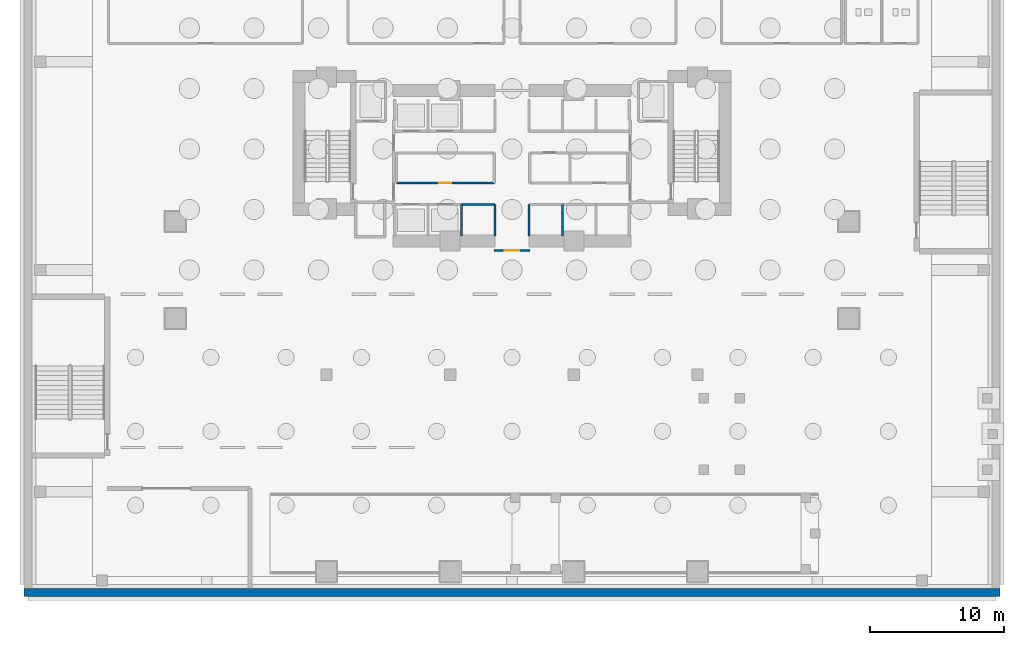
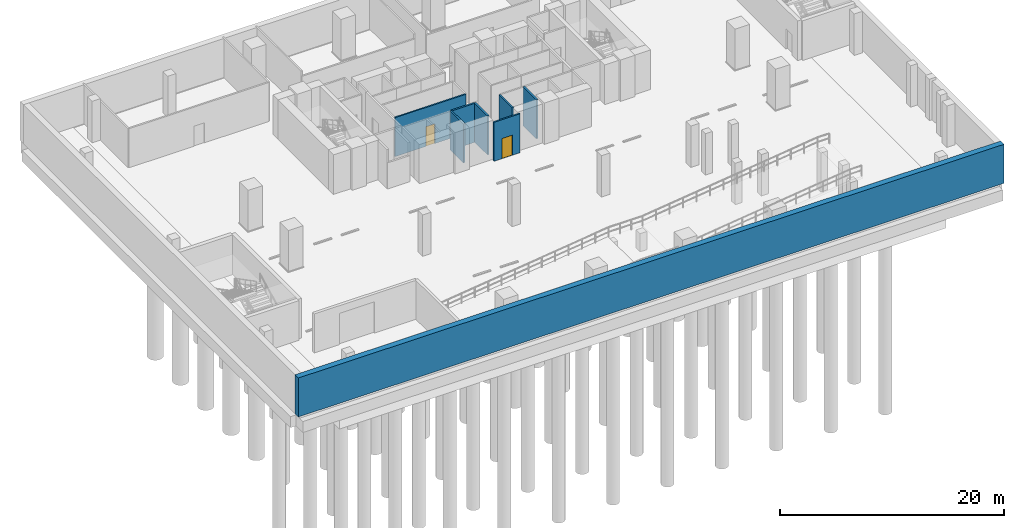
# One storey, part 3 of 13: 8 walls, 2 doors, 2 openings.
"""IFC4 building model written with IfcOpenShell, lengths in metres."""

from ifc_helpers import new_model, si_unit, direction, frame, frame_2d, origin, place, context, subcontext, project, spatial, rectangle, extrude, material, layer, layer_set, type_object, element, fill, save


model = new_model("IFC4")

# Units and contexts
model_context = context("Model", 3, precision=1e-05, world=origin(), true_north=direction((0.0, 1.0)))
body_context = subcontext(model_context, "Body", "Model", "MODEL_VIEW")
ifc_project = project(units=[si_unit("LENGTHUNIT", "METRE"), si_unit("AREAUNIT", "SQUARE_METRE"), si_unit("VOLUMEUNIT", "CUBIC_METRE"), si_unit("PLANEANGLEUNIT", "RADIAN"), si_unit("MASSUNIT", "GRAM", prefix="KILO")], contexts=[model_context])

# Site, building, storey
site_placement = place(None, origin())
site = spatial("IfcSite", under=ifc_project, at=site_placement, CompositionType="ELEMENT")
building_placement = place(site_placement, origin())
building = spatial("IfcBuilding", under=site, at=building_placement, Name="Zuhayl Quay Hotel", CompositionType="ELEMENT")
storey_placement = place(building_placement, frame((0.0, 0.0, -9.0)))
storey = spatial("IfcBuildingStorey", under=building, at=storey_placement, Name="B2", CompositionType="ELEMENT", Elevation=-9.0)

# Wall, opening, door
ifc_material_1 = material(Name="Acoustic Gypsum Partition STC-58")
ifc_layer_1 = layer(ifc_material_1, 0.14990234375, Name="Acoustic Gypsum Partition STC-58")
ifc_layer_set_1 = layer_set([ifc_layer_1], Name="Acoustic Gypsum Partition STC-58")
wall_type_1 = type_object("IfcWallType", Name="WL_PART_150", PredefinedType="PARTITIONING", material=ifc_layer_set_1)
wall_1_placement = place(storey_placement, frame((-8.610107421875, 6.47998046875, 0.0), z_axis=(0.0, 0.0, 1.0), x_axis=(1.0, 0.0, 0.0)))
wall_1 = element("IfcWall", 1, at=wall_1_placement, inside=storey, type_object=wall_type_1, Name="B2 Partition IW_B2_CORE_EL_S", PredefinedType="PARTITIONING", context=body_context, shape_type="SweptSolid", body=[
    extrude(rectangle(XDim=7.2900390625, YDim=0.14990234375, at=frame_2d((3.64501953125, 0.0))), origin(), (0.0, 0.0, 1.0), 4.239990234375),
])
opening_1_placement = place(wall_1_placement, frame((3.195068359375, 0.0, 0.0)))
opening_1 = element("IfcOpeningElement", 2, at=opening_1_placement, cuts=wall_1, Name="Opening D06", PredefinedType="OPENING", context=body_context, shape_type="SweptSolid", body=[
    extrude(rectangle(XDim=0.89990234375, YDim=2.14990234375, at=frame_2d((0.449951171875, 1.074951171875))), frame((0.0, 0.0849609375, 0.0), z_axis=(0.0, -1.0, 0.0), x_axis=(1.0, 0.0, 0.0)), (0.0, 0.0, 1.0), 0.169921875),
])
ifc_material_2 = material(Name="Steel ASTM A992 Grade 50", Category="steel")
door_type_1 = type_object("IfcDoorType", Name="DR_INT_900", OperationType="NOTDEFINED", PredefinedType="DOOR", material=ifc_material_2)
door_1_placement = place(opening_1_placement, origin())
door_1 = element("IfcDoor", 3, at=door_1_placement, inside=storey, type_object=door_type_1, Name="B2 Floor Electrical Plant Room Door", OperationType="SINGLE_SWING_RIGHT", OverallHeight=2.14990234375, OverallWidth=0.89990234375, PredefinedType="DOOR", context=body_context, shape_type="SweptSolid", body=[
    extrude(rectangle(XDim=0.89990234375, YDim=2.14990234375, at=frame_2d((0.449951171875, 1.074951171875))), frame((0.0, 0.02490234375, 0.0), z_axis=(0.0, -1.0, 0.0), x_axis=(1.0, 0.0, 0.0)), (0.0, 0.0, 1.0), 0.050048828125),
])
fill(opening_1, door_1)

ifc_layer_2 = layer(ifc_material_1, 0.159912109375, Name="Acoustic Gypsum Partition STC-58")
ifc_layer_set_2 = layer_set([ifc_layer_2], Name="Acoustic Gypsum Partition STC-58")
wall_type_2 = type_object("IfcWallType", Name="WL_PART_CORR_160", PredefinedType="PARTITIONING", material=ifc_layer_set_2)
wall_2_placement = place(storey_placement, frame((-1.35009765625, 1.449951171875, 0.0), z_axis=(0.0, 0.0, 1.0), x_axis=(1.0, 0.0, 0.0)))
wall_2 = element("IfcWall", 4, at=wall_2_placement, inside=storey, type_object=wall_type_2, Name="B2 Partition IW_B2_PARK_SEP", PredefinedType="PARTITIONING", context=body_context, shape_type="SweptSolid", body=[
    extrude(rectangle(XDim=2.7001953125, YDim=0.159912109375, at=frame_2d((1.35009765625, 0.0))), origin(), (0.0, 0.0, 1.0), 4.239990234375),
])
opening_2_placement = place(wall_2_placement, frame((0.800048828125, 0.0, 0.0)))
opening_2 = element("IfcOpeningElement", 5, at=opening_2_placement, cuts=wall_2, Name="Opening D02", PredefinedType="OPENING", context=body_context, shape_type="SweptSolid", body=[
    extrude(rectangle(XDim=1.10009765625, YDim=2.199951171875, at=frame_2d((0.550048828125, 1.10009765625))), frame((0.0, 0.08984375, 0.0), z_axis=(0.0, -1.0, 0.0), x_axis=(1.0, 0.0, 0.0)), (0.0, 0.0, 1.0), 0.179931640625),
])
door_type_2 = type_object("IfcDoorType", Name="DR_FIRE_90_1100", OperationType="NOTDEFINED", PredefinedType="DOOR", material=ifc_material_2)
door_2_placement = place(opening_2_placement, origin())
door_2 = element("IfcDoor", 6, at=door_2_placement, inside=storey, type_object=door_type_2, Name="B2 Car Park Vestibule Door", OperationType="SINGLE_SWING_LEFT", OverallHeight=2.199951171875, OverallWidth=1.10009765625, PredefinedType="DOOR", context=body_context, shape_type="SweptSolid", body=[
    extrude(rectangle(XDim=1.10009765625, YDim=2.199951171875, at=frame_2d((0.550048828125, 1.10009765625))), frame((0.0, 0.02490234375, 0.0), z_axis=(0.0, -1.0, 0.0), x_axis=(1.0, 0.0, 0.0)), (0.0, 0.0, 1.0), 0.050048828125),
])
fill(opening_2, door_2)

# Walls
ifc_material_3 = material(Name="Gypsum Fireboard Assembly EI-90")
ifc_layer_3 = layer(ifc_material_3, 0.1650390625, Name="Gypsum Fireboard Assembly EI-90")
ifc_layer_set_3 = layer_set([ifc_layer_3], Name="Gypsum Fireboard Assembly EI-90")
wall_type_3 = type_object("IfcWallType", Name="WL_PART_SHAFT_160", PredefinedType="PARTITIONING", material=ifc_layer_set_3)
wall_3_placement = place(storey_placement, frame((-3.75, 2.52001953125, 0.0), z_axis=(0.0, 0.0, 1.0), x_axis=(0.0, 1.0, 0.0)))
element("IfcWall", 7, at=wall_3_placement, inside=storey, type_object=wall_type_3, Name="B2 Partition IW_B2_SH_LP2_E", PredefinedType="PARTITIONING", context=body_context, shape_type="SweptSolid", body=[
    extrude(rectangle(XDim=2.35986328125, YDim=0.1650390625, at=frame_2d((1.179931640625, 0.0))), origin(), (0.0, 0.0, 1.0), 4.239990234375),
])
wall_4_placement = place(storey_placement, frame((-3.75, 4.8798828125, 0.0), z_axis=(0.0, 0.0, 1.0), x_axis=(1.0, 0.0, 0.0)))
element("IfcWall", 8, at=wall_4_placement, inside=storey, type_object=wall_type_3, Name="B2 Partition IW_B2_SH_MP1_F", PredefinedType="PARTITIONING", context=body_context, shape_type="SweptSolid", body=[
    extrude(rectangle(XDim=2.47998046875, YDim=0.1650390625, at=frame_2d((1.239990234375, 0.0))), origin(), (0.0, 0.0, 1.0), 4.239990234375),
])
for number, where, z_axis, x_axis, name in (
    (9, (-1.27001953125, 2.52001953125, 0.0), (0.0, 0.0, 1.0), (0.0, 1.0, 0.0), "B2 Partition IW_B2_SH_MP1_E"),
    (10, (1.27001953125, 2.52001953125, 0.0), (0.0, 0.0, 1.0), (0.0, 1.0, 0.0), "B2 Partition IW_B2_SH_MP2_W"),
    (11, (3.75, 2.52001953125, 0.0), (0.0, 0.0, 1.0), (0.0, 1.0, 0.0), "B2 Partition IW_B2_SH_MP2_E"),
):
    element("IfcWall", number, at=place(storey_placement, frame(where, z_axis=z_axis, x_axis=x_axis)), inside=storey, type_object=wall_type_3, Name=name, PredefinedType="PARTITIONING", context=body_context, shape_type="SweptSolid", body=[
        extrude(rectangle(XDim=2.35986328125, YDim=0.1650390625, at=frame_2d((1.179931640625, 0.0))), origin(), (0.0, 0.0, 1.0), 4.239990234375),
    ])
ifc_material_4 = material(Name="Concrete C50/60", Category="concrete")
ifc_layer_4 = layer(ifc_material_4, 0.60009765625, Name="Concrete C50/60", Category="concrete")
ifc_layer_set_4 = layer_set([ifc_layer_4], Name="Concrete C50/60")
wall_type_4 = type_object("IfcWallType", Name="WL_RET_600", PredefinedType="USERDEFINED", material=ifc_layer_set_4)
wall_5_placement = place(storey_placement, frame((36.300048828125, -24.0, 0.0), z_axis=(0.0, 0.0, 1.0), x_axis=(-1.0, 0.0, 0.0)))
element("IfcWall", 12, at=wall_5_placement, inside=storey, type_object=wall_type_4, Name="B2 Basement Retaining Wall S", ObjectType="RETAINING WALL", PredefinedType="USERDEFINED", context=body_context, shape_type="SweptSolid", body=[
    extrude(rectangle(XDim=72.60009765625, YDim=0.60009765625, at=frame_2d((36.300048828125, 0.0))), origin(), (0.0, 0.0, 1.0), 4.239990234375),
])

save(model, "model.ifc")
